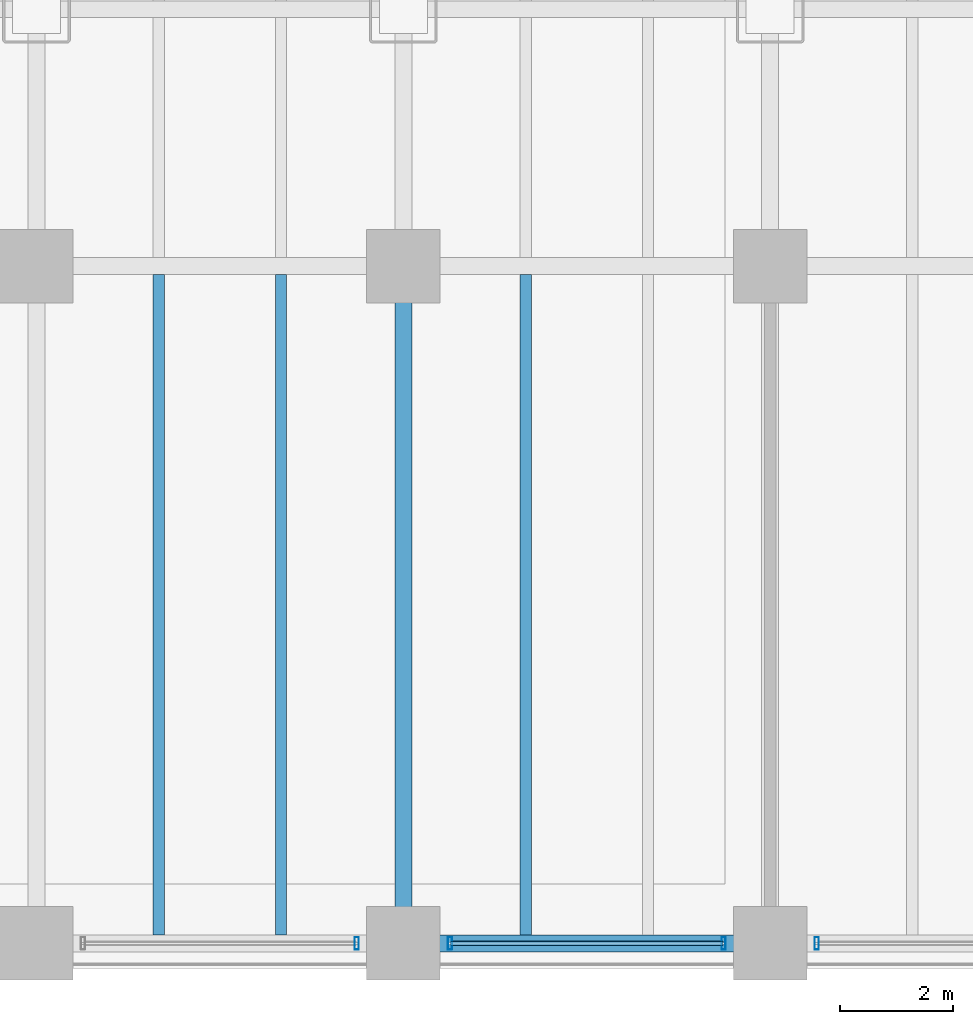
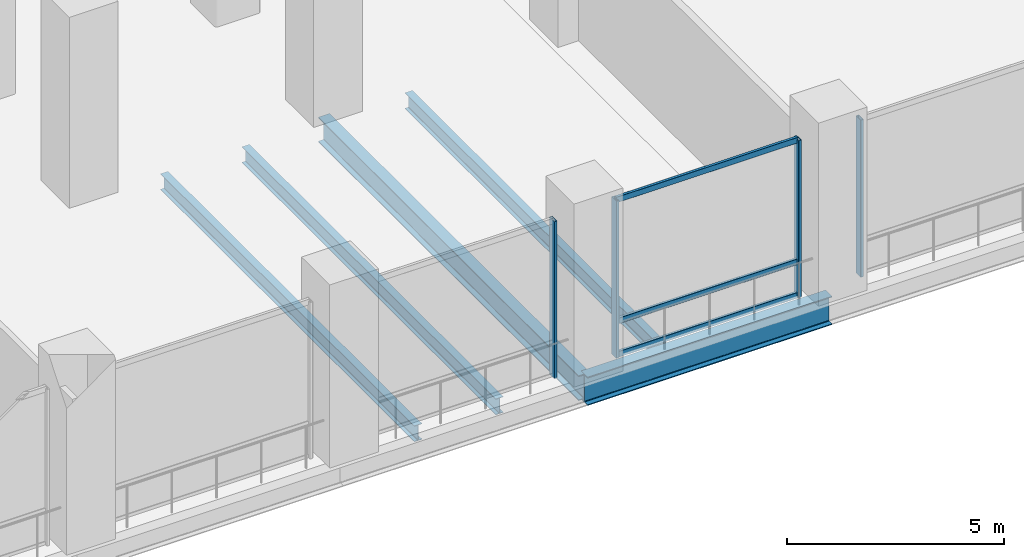
# One storey, part 9 of 30: 7 members, 5 beams, 3 elements without a shape of their own.
"""IFC4 building model written with IfcOpenShell, lengths in metres."""

from ifc_helpers import new_model, si_unit, direction, frame, origin, origin_2d, place, context, subcontext, project, spatial, hollow_rectangle, i_section, extrude, material, material_profile, profile_set, type_object, element, aggregate, save


model = new_model("IFC4")

# Units and contexts
model_context = context("Model", 3, precision=1e-05, world=origin(), true_north=direction((0.0, 1.0)))
body_context = subcontext(model_context, "Body", "Model", "MODEL_VIEW")
ifc_project = project(units=[si_unit("LENGTHUNIT", "METRE"), si_unit("AREAUNIT", "SQUARE_METRE"), si_unit("VOLUMEUNIT", "CUBIC_METRE"), si_unit("PLANEANGLEUNIT", "RADIAN"), si_unit("MASSUNIT", "GRAM", prefix="KILO")], contexts=[model_context])

# Site, building, storey
site_placement = place(None, origin())
site = spatial("IfcSite", under=ifc_project, at=site_placement, CompositionType="ELEMENT")
building_placement = place(site_placement, origin())
building = spatial("IfcBuilding", under=site, at=building_placement, Name="Noeulbin Bourse Tower", CompositionType="ELEMENT")
storey_placement = place(building_placement, frame((0.0, 0.0, 16.60009765625)))
storey = spatial("IfcBuildingStorey", under=building, at=storey_placement, Name="L04", CompositionType="ELEMENT", Elevation=16.60009765625)

# Beams
ifc_material_1 = material(Name="Steel S355", Category="steel")
ifc_material_profile_1 = material_profile(ifc_material_1, i_section(OverallWidth=0.300048828125, OverallDepth=0.699951171875, WebThickness=0.012939453125, FlangeThickness=0.02392578125, FilletRadius=0.02392578125, at=origin_2d()), Name="H-700x300x13x24", Category="LoadBearing")
ifc_profile_set_1 = profile_set([ifc_material_profile_1], Name="Steel S355")
beam_type_1 = type_object("IfcBeamType", Name="BM-GRD-700", PredefinedType="USERDEFINED", material=ifc_profile_set_1)
beam_1_placement = place(storey_placement, frame((37.5, 3.449951171875, -0.60009765625), z_axis=(0.0, 1.0, 0.0), x_axis=(-1.0, 0.0, 0.0)))
element("IfcBeam", 1, at=beam_1_placement, inside=storey, type_object=beam_type_1, Name="Podium Primary Girder NS L04-085", ObjectType="GIRDER", PredefinedType="USERDEFINED", context=body_context, shape_type="SweptSolid", body=[
    extrude(i_section(OverallWidth=0.300048828125, OverallDepth=0.699951171875, WebThickness=0.012939453125, FlangeThickness=0.02392578125, FilletRadius=0.02392578125, at=origin_2d()), origin(), (0.0, 0.0, 1.0), 12.0),
])
ifc_material_profile_2 = material_profile(ifc_material_1, i_section(OverallWidth=0.300048828125, OverallDepth=0.800048828125, WebThickness=0.013916015625, FlangeThickness=0.02587890625, FilletRadius=0.02587890625, at=origin_2d()), Name="H-800x300x14x26", Category="LoadBearing")
ifc_profile_set_2 = profile_set([ifc_material_profile_2], Name="Steel S355")
beam_type_2 = type_object("IfcBeamType", Name="BM-GRD-800", PredefinedType="USERDEFINED", material=ifc_profile_set_2)
beam_2_placement = place(storey_placement, frame((37.5, 3.449951171875, -0.650146484375), z_axis=(1.0, 0.0, 0.0), x_axis=(0.0, 1.0, 0.0)))
element("IfcBeam", 2, at=beam_2_placement, inside=storey, type_object=beam_type_2, Name="Podium Primary Girder EW L04-006", ObjectType="GIRDER", PredefinedType="USERDEFINED", context=body_context, shape_type="SweptSolid", body=[
    extrude(i_section(OverallWidth=0.300048828125, OverallDepth=0.800048828125, WebThickness=0.013916015625, FlangeThickness=0.02587890625, FilletRadius=0.02587890625, at=origin_2d()), origin(), (0.0, 0.0, 1.0), 6.5),
])
ifc_material_profile_3 = material_profile(ifc_material_1, i_section(OverallWidth=0.199951171875, OverallDepth=0.449951171875, WebThickness=0.009033203125, FlangeThickness=0.013916015625, FilletRadius=0.01806640625, at=origin_2d()), Name="H-450x200x9x14", Category="LoadBearing")
ifc_profile_set_3 = profile_set([ifc_material_profile_3], Name="Steel S355")
beam_type_3 = type_object("IfcBeamType", Name="BM-SEC-450", PredefinedType="BEAM", material=ifc_profile_set_3)
for number, where, z_axis, x_axis, name in (
    (3, (33.166748046875, 3.60009765625, -0.47509765625), (0.0, 1.0, 0.0), (-1.0, 0.0, 0.0), "Podium Secondary Beam L04-053"),
    (4, (35.333251953125, 3.60009765625, -0.47509765625), (0.0, 1.0, 0.0), (-1.0, 0.0, 0.0), "Podium Secondary Beam L04-058"),
    (5, (39.666748046875, 3.60009765625, -0.47509765625), (0.0, 1.0, 0.0), (-1.0, 0.0, 0.0), "Podium Secondary Beam L04-063"),
):
    element("IfcBeam", number, at=place(storey_placement, frame(where, z_axis=z_axis, x_axis=x_axis)), inside=storey, type_object=beam_type_3, Name=name, PredefinedType="BEAM", context=body_context, shape_type="SweptSolid", body=[
        extrude(i_section(OverallWidth=0.199951171875, OverallDepth=0.449951171875, WebThickness=0.009033203125, FlangeThickness=0.013916015625, FilletRadius=0.01806640625, at=origin_2d()), origin(), (0.0, 0.0, 1.0), 11.699951171875),
    ])

# Curtain wall, member
ifc_material_2 = material(Name="Laminated Clear Low-E Glass", Category="glass")
curtain_wall_type = type_object("IfcCurtainWallType", Name="CW-SYS-1", PredefinedType="NOTDEFINED", material=ifc_material_2)
curtain_wall_1_placement = place(storey_placement, origin())
curtain_wall_1 = element("IfcCurtainWall", 6, at=curtain_wall_1_placement, inside=storey, type_object=curtain_wall_type, Name="Unitised Curtain Wall CW-L04-POD-S-S4", PredefinedType="NOTDEFINED")
ifc_material_3 = material(Name="Anodised Aluminium 6063-T6", Category="aluminium")
ifc_material_profile_4 = material_profile(ifc_material_3, hollow_rectangle(XDim=0.074951171875, YDim=0.219970703125, WallThickness=0.0048828125, InnerFilletRadius=0.00244140625, OuterFilletRadius=0.0048828125, at=origin_2d()), Name="ALU-MULL-75x220x5", Category="LoadBearing")
ifc_profile_set_4 = profile_set([ifc_material_profile_4], Name="Anodised Aluminium 6063-T6")
member_type_1 = type_object("IfcMemberType", Name="CW-SYS-1-MUL", PredefinedType="MULLION", material=ifc_profile_set_4)
member_1_placement = place(storey_placement, frame((36.675048828125, 3.449951171875, -0.02001953125), z_axis=(0.0, 0.0, 1.0), x_axis=(1.0, 0.0, 0.0)))
member_1 = element("IfcMember", 7, at=member_1_placement, type_object=member_type_1, Name="Curtain Wall Mullion CW-L04-POD-S-S4-M01", PredefinedType="MULLION", context=body_context, shape_type="SweptSolid", body=[
    extrude(hollow_rectangle(XDim=0.074951171875, YDim=0.219970703125, WallThickness=0.0048828125, InnerFilletRadius=0.00244140625, OuterFilletRadius=0.0048828125, at=origin_2d()), origin(), (0.0, 0.0, 1.0), 4.419921875),
])
aggregate(curtain_wall_1, [member_1])

# Curtain wall, members
curtain_wall_2_placement = place(storey_placement, origin())
curtain_wall_2 = element("IfcCurtainWall", 8, at=curtain_wall_2_placement, inside=storey, type_object=curtain_wall_type, Name="Unitised Curtain Wall CW-L04-POD-S-S5", PredefinedType="NOTDEFINED")
member_2_placement = place(storey_placement, frame((38.324951171875, 3.449951171875, -0.02001953125), z_axis=(0.0, 0.0, 1.0), x_axis=(1.0, 0.0, 0.0)))
member_2 = element("IfcMember", 9, at=member_2_placement, type_object=member_type_1, Name="Curtain Wall Mullion CW-L04-POD-S-S5-M00", PredefinedType="MULLION", context=body_context, shape_type="SweptSolid", body=[
    extrude(hollow_rectangle(XDim=0.074951171875, YDim=0.219970703125, WallThickness=0.0048828125, InnerFilletRadius=0.00244140625, OuterFilletRadius=0.0048828125, at=origin_2d()), origin(), (0.0, 0.0, 1.0), 4.419921875),
])
member_3_placement = place(storey_placement, frame((43.175048828125, 3.449951171875, -0.02001953125), z_axis=(0.0, 0.0, 1.0), x_axis=(1.0, 0.0, 0.0)))
member_3 = element("IfcMember", 10, at=member_3_placement, type_object=member_type_1, Name="Curtain Wall Mullion CW-L04-POD-S-S5-M01", PredefinedType="MULLION", context=body_context, shape_type="SweptSolid", body=[
    extrude(hollow_rectangle(XDim=0.074951171875, YDim=0.219970703125, WallThickness=0.0048828125, InnerFilletRadius=0.00244140625, OuterFilletRadius=0.0048828125, at=origin_2d()), origin(), (0.0, 0.0, 1.0), 4.419921875),
])

# Curtain wall, member
curtain_wall_3_placement = place(storey_placement, origin())
curtain_wall_3 = element("IfcCurtainWall", 11, at=curtain_wall_3_placement, inside=storey, type_object=curtain_wall_type, Name="Unitised Curtain Wall CW-L04-POD-S-S6", PredefinedType="NOTDEFINED")
member_4_placement = place(storey_placement, frame((44.824951171875, 3.449951171875, -0.02001953125), z_axis=(0.0, 0.0, 1.0), x_axis=(1.0, 0.0, 0.0)))
member_4 = element("IfcMember", 12, at=member_4_placement, type_object=member_type_1, Name="Curtain Wall Mullion CW-L04-POD-S-S6-M00", PredefinedType="MULLION", context=body_context, shape_type="SweptSolid", body=[
    extrude(hollow_rectangle(XDim=0.074951171875, YDim=0.219970703125, WallThickness=0.0048828125, InnerFilletRadius=0.00244140625, OuterFilletRadius=0.0048828125, at=origin_2d()), origin(), (0.0, 0.0, 1.0), 4.419921875),
])
aggregate(curtain_wall_3, [member_4])

# Member
ifc_material_profile_5 = material_profile(ifc_material_3, hollow_rectangle(XDim=0.074951171875, YDim=0.159912109375, WallThickness=0.0048828125, InnerFilletRadius=0.00244140625, OuterFilletRadius=0.0048828125, at=origin_2d()), Name="ALU-TRAN-75x160x5", Category="LoadBearing")
ifc_profile_set_5 = profile_set([ifc_material_profile_5], Name="Anodised Aluminium 6063-T6")
member_type_2 = type_object("IfcMemberType", Name="CW-SYS-1-TRN", PredefinedType="USERDEFINED", material=ifc_profile_set_5)
member_5_placement = place(storey_placement, frame((38.3349609375, 3.449951171875, 0.010009765625), z_axis=(1.0, 0.0, 0.0), x_axis=(0.0, 1.0, 0.0)))
member_5 = element("IfcMember", 13, at=member_5_placement, type_object=member_type_2, Name="Curtain Wall Transom CW-L04-POD-S-S5-T00", ObjectType="TRANSOM", PredefinedType="USERDEFINED", context=body_context, shape_type="SweptSolid", body=[
    extrude(hollow_rectangle(XDim=0.074951171875, YDim=0.159912109375, WallThickness=0.0048828125, InnerFilletRadius=0.00244140625, OuterFilletRadius=0.0048828125, at=origin_2d()), origin(), (0.0, 0.0, 1.0), 4.830078125),
])

member_6_placement = place(storey_placement, frame((38.3349609375, 3.449951171875, 0.949951171875), z_axis=(1.0, 0.0, 0.0), x_axis=(0.0, 1.0, 0.0)))
member_6 = element("IfcMember", 14, at=member_6_placement, type_object=member_type_2, Name="Curtain Wall Transom CW-L04-POD-S-S5-T01", ObjectType="TRANSOM", PredefinedType="USERDEFINED", context=body_context, shape_type="SweptSolid", body=[
    extrude(hollow_rectangle(XDim=0.074951171875, YDim=0.159912109375, WallThickness=0.0048828125, InnerFilletRadius=0.00244140625, OuterFilletRadius=0.0048828125, at=origin_2d()), origin(), (0.0, 0.0, 1.0), 4.830078125),
])

member_7_placement = place(storey_placement, frame((38.3349609375, 3.449951171875, 4.369873046875), z_axis=(1.0, 0.0, 0.0), x_axis=(0.0, 1.0, 0.0)))
member_7 = element("IfcMember", 15, at=member_7_placement, type_object=member_type_2, Name="Curtain Wall Transom CW-L04-POD-S-S5-T02", ObjectType="TRANSOM", PredefinedType="USERDEFINED", context=body_context, shape_type="SweptSolid", body=[
    extrude(hollow_rectangle(XDim=0.074951171875, YDim=0.159912109375, WallThickness=0.0048828125, InnerFilletRadius=0.00244140625, OuterFilletRadius=0.0048828125, at=origin_2d()), origin(), (0.0, 0.0, 1.0), 4.830078125),
])

aggregate(curtain_wall_2, [member_2, member_3, member_5, member_6, member_7])

save(model, "model.ifc")
